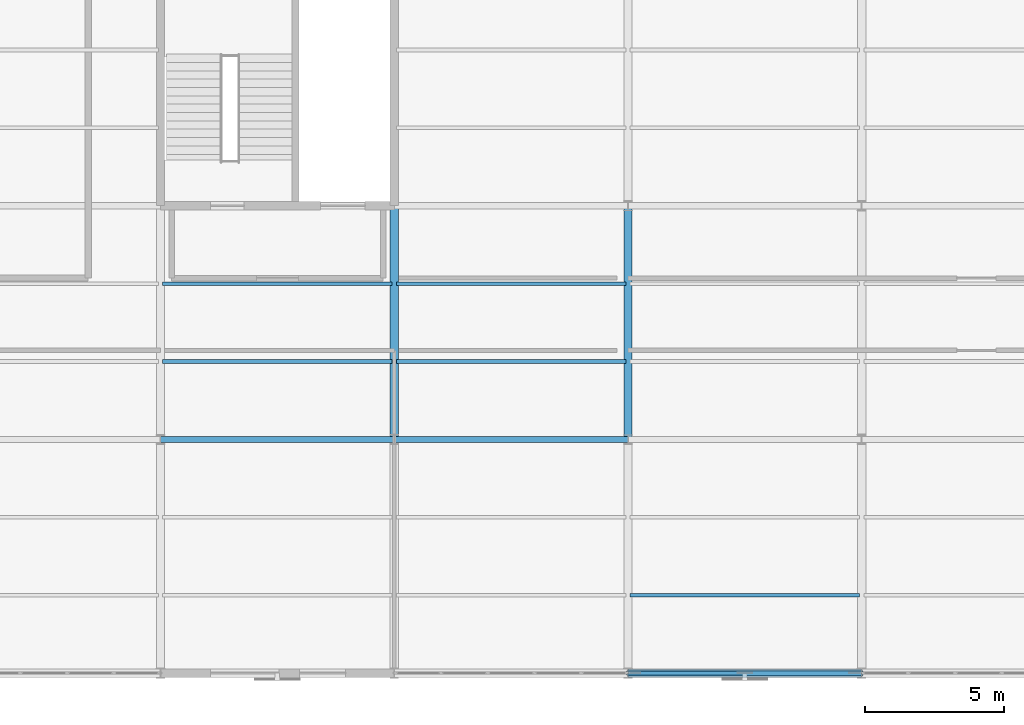
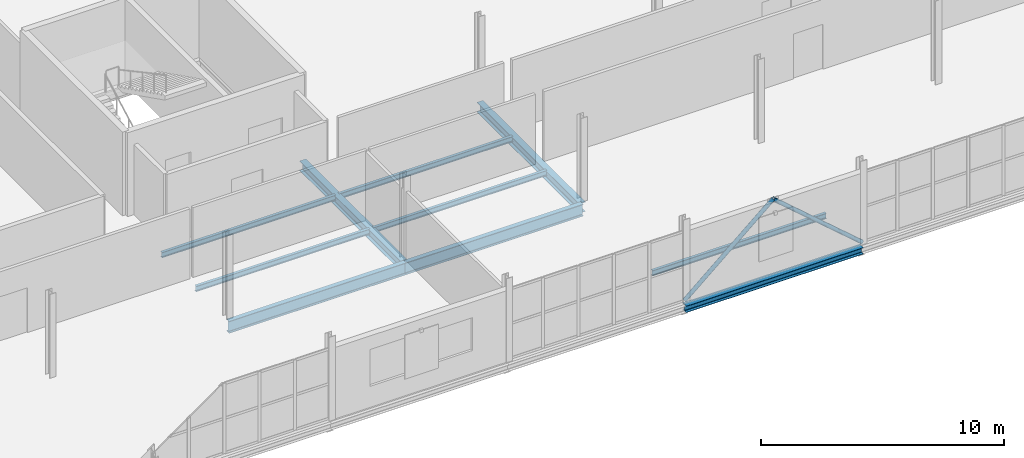
# One storey, part 95 of 163: 10 beams, 2 members.
"""IFC4 building model written with IfcOpenShell, lengths in metres."""

from ifc_helpers import new_model, si_unit, direction, frame, origin, origin_2d, place, context, subcontext, project, spatial, hollow_circle, i_section, extrude, material, material_profile, profile_set, type_object, element, save


model = new_model("IFC4")

# Units and contexts
model_context = context("Model", 3, precision=1e-05, world=origin(), true_north=direction((0.0, 1.0)))
body_context = subcontext(model_context, "Body", "Model", "MODEL_VIEW")
ifc_project = project(units=[si_unit("LENGTHUNIT", "METRE"), si_unit("AREAUNIT", "SQUARE_METRE"), si_unit("VOLUMEUNIT", "CUBIC_METRE"), si_unit("PLANEANGLEUNIT", "RADIAN"), si_unit("MASSUNIT", "GRAM", prefix="KILO")], contexts=[model_context])

# Site, building, storey
site_placement = place(None, origin())
site = spatial("IfcSite", under=ifc_project, at=site_placement, CompositionType="ELEMENT")
building_placement = place(site_placement, origin())
building = spatial("IfcBuilding", under=site, at=building_placement, Name="Qalvenar Corner Mobility Hub", CompositionType="ELEMENT")
storey_placement = place(building_placement, frame((0.0, 0.0, 4.800048828125)))
storey = spatial("IfcBuildingStorey", under=building, at=storey_placement, Name="L01", CompositionType="ELEMENT", Elevation=4.800048828125)

# Beams
ifc_material = material(Name="Steel S355", Category="steel")
ifc_material_profile_1 = material_profile(ifc_material, i_section(OverallWidth=0.300048828125, OverallDepth=0.489990234375, WebThickness=0.011962890625, FlangeThickness=0.02294921875, FilletRadius=0.027099609375, at=origin_2d()), Name="HEA500")
ifc_profile_set_1 = profile_set([ifc_material_profile_1], Name="Steel S355")
beam_type_1 = type_object("IfcBeamType", Name="BM-HEA500", PredefinedType="BEAM", material=ifc_profile_set_1)
for number, where, z_axis, x_axis, name in (
    (1, (134.39990234375, 8.39990234375, -0.425048828125), (0.0, 1.0, 0.0), (-1.0, 0.0, 0.0), "Primary Steel Girder GY-1045"),
    (2, (142.800048828125, 8.39990234375, -0.425048828125), (0.0, 1.0, 0.0), (-1.0, 0.0, 0.0), "Primary Steel Girder GY-1051"),
):
    element("IfcBeam", number, at=place(storey_placement, frame(where, z_axis=z_axis, x_axis=x_axis)), inside=storey, type_object=beam_type_1, Name=name, PredefinedType="BEAM", context=body_context, shape_type="SweptSolid", body=[
        extrude(i_section(OverallWidth=0.300048828125, OverallDepth=0.489990234375, WebThickness=0.011962890625, FlangeThickness=0.02294921875, FilletRadius=0.027099609375, at=origin_2d()), origin(), (0.0, 0.0, 1.0), 8.400146484375),
    ])
ifc_material_profile_2 = material_profile(ifc_material, i_section(OverallWidth=0.219970703125, OverallDepth=0.60009765625, WebThickness=0.011962890625, FlangeThickness=0.01904296875, FilletRadius=0.02392578125, at=origin_2d()), Name="IPE600")
ifc_profile_set_2 = profile_set([ifc_material_profile_2], Name="Steel S355")
beam_type_2 = type_object("IfcBeamType", Name="BM-IPE600", PredefinedType="BEAM", material=ifc_profile_set_2)
beam_1_placement = place(storey_placement, frame((126.0, 8.39990234375, -0.47998046875), z_axis=(1.0, 0.0, 0.0), x_axis=(0.0, 1.0, 0.0)))
element("IfcBeam", 3, at=beam_1_placement, inside=storey, type_object=beam_type_2, Name="Primary Steel Girder GX-0987", PredefinedType="BEAM", context=body_context, shape_type="SweptSolid", body=[
    extrude(i_section(OverallWidth=0.219970703125, OverallDepth=0.60009765625, WebThickness=0.011962890625, FlangeThickness=0.01904296875, FilletRadius=0.02392578125, at=origin_2d()), origin(), (0.0, 0.0, 1.0), 8.39990234375),
])
beam_2_placement = place(storey_placement, frame((134.39990234375, 8.39990234375, -0.47998046875), z_axis=(1.0, 0.0, 0.0), x_axis=(0.0, 1.0, 0.0)))
element("IfcBeam", 4, at=beam_2_placement, inside=storey, type_object=beam_type_2, Name="Primary Steel Girder GX-0988", PredefinedType="BEAM", context=body_context, shape_type="SweptSolid", body=[
    extrude(i_section(OverallWidth=0.219970703125, OverallDepth=0.60009765625, WebThickness=0.011962890625, FlangeThickness=0.01904296875, FilletRadius=0.02392578125, at=origin_2d()), origin(), (0.0, 0.0, 1.0), 8.400146484375),
])
ifc_material_profile_3 = material_profile(ifc_material, i_section(OverallWidth=0.135009765625, OverallDepth=0.27001953125, WebThickness=0.006591796875, FlangeThickness=0.01025390625, FilletRadius=0.014892578125, at=origin_2d()), Name="IPE270")
ifc_profile_set_3 = profile_set([ifc_material_profile_3], Name="Steel S355")
beam_type_3 = type_object("IfcBeamType", Name="BM-JST270", PredefinedType="JOIST", material=ifc_profile_set_3)
for number, where, z_axis, x_axis, name in (
    (5, (126.077880859375, 11.199951171875, -0.31494140625), (1.0, 0.0, 0.0), (0.0, 1.0, 0.0), "Composite Floor Joist J-1100"),
    (6, (126.077880859375, 14.0, -0.31494140625), (1.0, 0.0, 0.0), (0.0, 1.0, 0.0), "Composite Floor Joist J-1101"),
):
    element("IfcBeam", number, at=place(storey_placement, frame(where, z_axis=z_axis, x_axis=x_axis)), inside=storey, type_object=beam_type_3, Name=name, PredefinedType="JOIST", context=body_context, shape_type="SweptSolid", body=[
        extrude(i_section(OverallWidth=0.135009765625, OverallDepth=0.27001953125, WebThickness=0.006591796875, FlangeThickness=0.01025390625, FilletRadius=0.014892578125, at=origin_2d()), origin(), (0.0, 0.0, 1.0), 8.244140625),
    ])
for number, where, z_axis, x_axis, name in (
    (7, (134.47802734375, 11.199951171875, -0.31494140625), (1.0, 0.0, 0.0), (0.0, 1.0, 0.0), "Composite Floor Joist J-1110"),
    (8, (134.47802734375, 14.0, -0.31494140625), (1.0, 0.0, 0.0), (0.0, 1.0, 0.0), "Composite Floor Joist J-1111"),
):
    element("IfcBeam", number, at=place(storey_placement, frame(where, z_axis=z_axis, x_axis=x_axis)), inside=storey, type_object=beam_type_3, Name=name, PredefinedType="JOIST", context=body_context, shape_type="SweptSolid", body=[
        extrude(i_section(OverallWidth=0.135009765625, OverallDepth=0.27001953125, WebThickness=0.006591796875, FlangeThickness=0.01025390625, FilletRadius=0.014892578125, at=origin_2d()), origin(), (0.0, 0.0, 1.0), 8.243896484375),
    ])
beam_3_placement = place(storey_placement, frame((142.8779296875, 2.800048828125, -0.31494140625), z_axis=(1.0, 0.0, 0.0), x_axis=(0.0, 1.0, 0.0)))
element("IfcBeam", 9, at=beam_3_placement, inside=storey, type_object=beam_type_3, Name="Composite Floor Joist J-1120", PredefinedType="JOIST", context=body_context, shape_type="SweptSolid", body=[
    extrude(i_section(OverallWidth=0.135009765625, OverallDepth=0.27001953125, WebThickness=0.006591796875, FlangeThickness=0.01025390625, FilletRadius=0.014892578125, at=origin_2d()), origin(), (0.0, 0.0, 1.0), 8.244140625),
])
ifc_material_profile_4 = material_profile(ifc_material, i_section(OverallWidth=0.300048828125, OverallDepth=0.330078125, WebThickness=0.009521484375, FlangeThickness=0.0166015625, FilletRadius=0.027099609375, at=origin_2d()), Name="HEA340")
ifc_profile_set_4 = profile_set([ifc_material_profile_4], Name="Steel S355")
beam_type_4 = type_object("IfcBeamType", Name="BM-SPN340", PredefinedType="SPANDREL", material=ifc_profile_set_4)
beam_4_placement = place(storey_placement, frame((142.800048828125, 0.0, -0.344970703125), z_axis=(1.0, 0.0, 0.0), x_axis=(0.0, 1.0, 0.0)))
element("IfcBeam", 10, at=beam_4_placement, inside=storey, type_object=beam_type_4, Name="Primary Steel Girder GX-0982", PredefinedType="SPANDREL", context=body_context, shape_type="SweptSolid", body=[
    extrude(i_section(OverallWidth=0.300048828125, OverallDepth=0.330078125, WebThickness=0.009521484375, FlangeThickness=0.0166015625, FilletRadius=0.027099609375, at=origin_2d()), origin(), (0.0, 0.0, 1.0), 8.39990234375),
])

# Members
ifc_material_profile_5 = material_profile(ifc_material, hollow_circle(Radius=0.096923828125, WallThickness=0.008056640625, at=origin_2d()), Name="CHS193.7x8")
ifc_profile_set_5 = profile_set([ifc_material_profile_5], Name="Steel S355")
member_type = type_object("IfcMemberType", Name="BR-CHS193", PredefinedType="BRACE", material=ifc_profile_set_5)
for number, where, z_axis, x_axis, name in (
    (11, (142.800048828125, 0.0, 0.02001953125), (0.757479038629, 0.0, 0.652859484145), (0.0, 1.0, 0.0), "Chevron Lateral Brace BR-041"),
    (12, (151.199951171875, 0.0, 0.02001953125), (-0.757479038629, 0.0, 0.652859484145), (0.0, -1.0, 0.0), "Chevron Lateral Brace BR-042"),
):
    element("IfcMember", number, at=place(storey_placement, frame(where, z_axis=z_axis, x_axis=x_axis)), inside=storey, type_object=member_type, Name=name, PredefinedType="BRACE", context=body_context, shape_type="SweptSolid", body=[
        extrude(hollow_circle(Radius=0.096923828125, WallThickness=0.008056640625, at=origin_2d()), origin(), (0.0, 0.0, 1.0), 5.544677734375),
    ])

save(model, "model.ifc")
